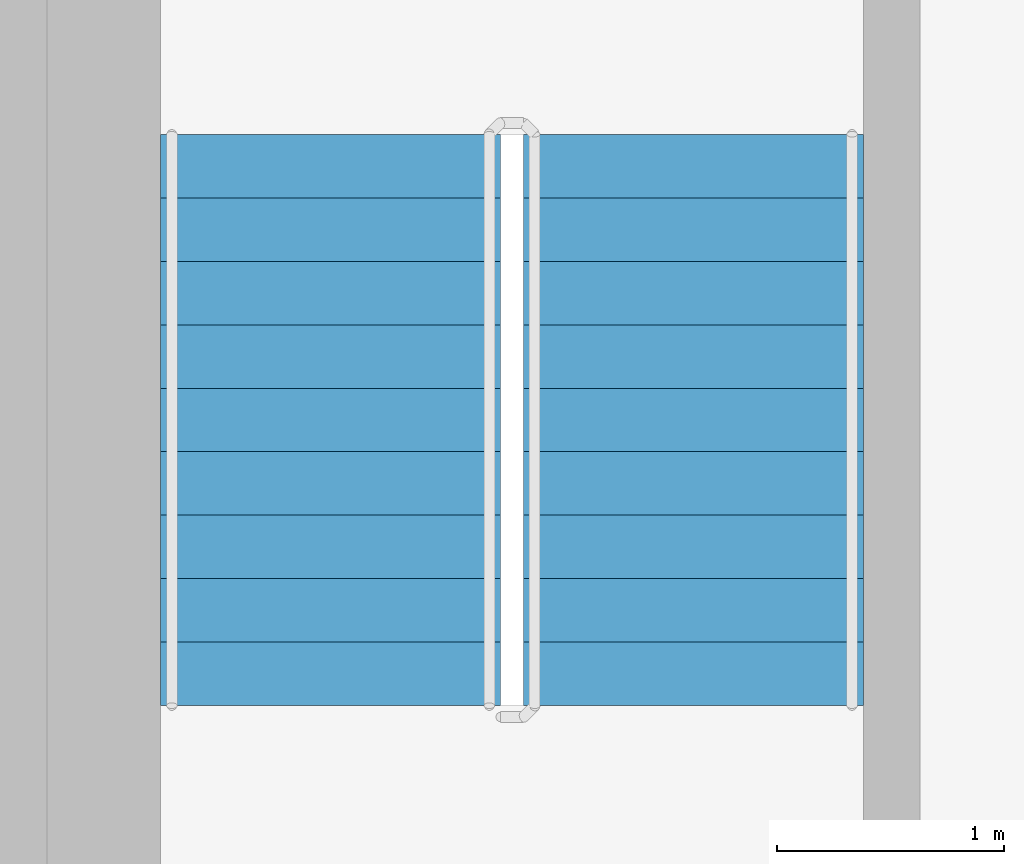
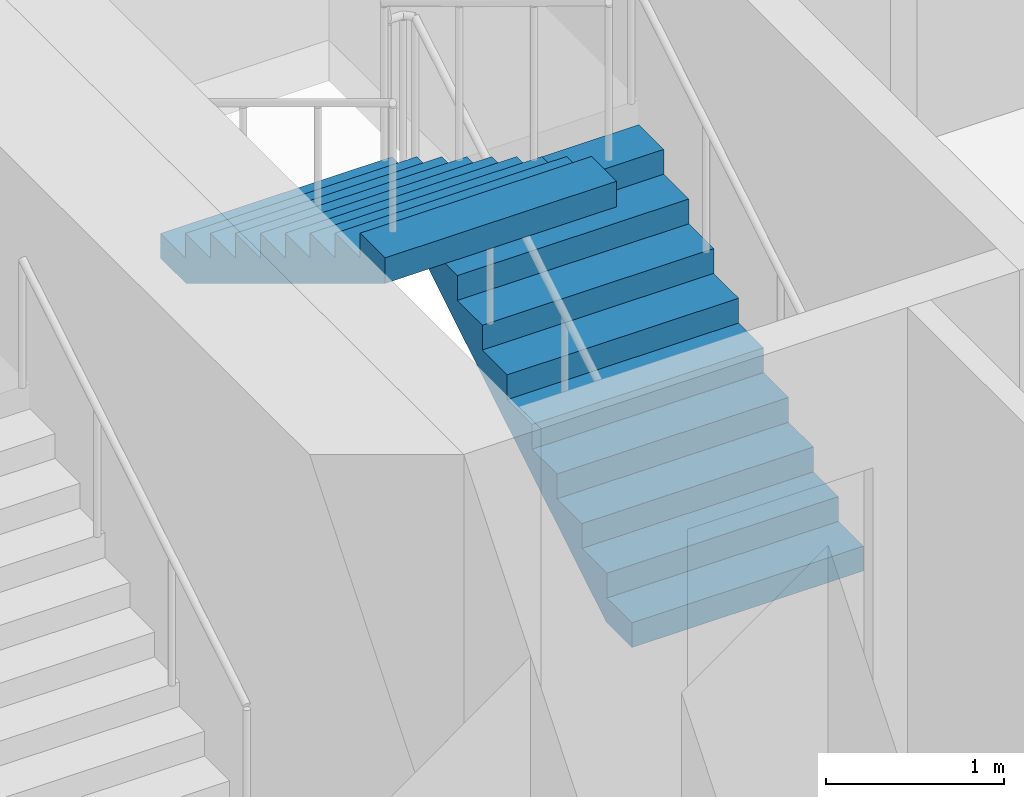
# One storey, part 12 of 19: 2 stair flights, 1 element without a shape of its own.
"""IFC4 building model written with IfcOpenShell, lengths in metres."""

from ifc_helpers import new_model, si_unit, direction, frame, origin, place, context, subcontext, project, spatial, triangles, source, transform, mapped, material, type_object, element, aggregate, save


model = new_model("IFC4")

# Units and contexts
model_context = context("Model", 3, precision=1e-05, world=origin(), true_north=direction((0.0, 1.0)))
body_context = subcontext(model_context, "Body", "Model", "MODEL_VIEW")
ifc_project = project(units=[si_unit("LENGTHUNIT", "METRE"), si_unit("AREAUNIT", "SQUARE_METRE"), si_unit("VOLUMEUNIT", "CUBIC_METRE"), si_unit("PLANEANGLEUNIT", "RADIAN"), si_unit("MASSUNIT", "GRAM", prefix="KILO")], contexts=[model_context])

# Site, building, storey
site_placement = place(None, origin())
site = spatial("IfcSite", under=ifc_project, at=site_placement, CompositionType="ELEMENT")
building_placement = place(site_placement, origin())
building = spatial("IfcBuilding", under=site, at=building_placement, Name="Kilnfold Tower and Market Hall", CompositionType="ELEMENT")
storey_placement = place(building_placement, frame((0.0, 0.0, 242.39990234375)))
storey = spatial("IfcBuildingStorey", under=building, at=storey_placement, Name="L58", CompositionType="ELEMENT", Elevation=242.39990234375)

# Stair, stair flights
ifc_material_1 = material(Name="Concrete C40/50", Category="concrete")
stair_type = type_object("IfcStairType", Name="CORE STAIR 1500", PredefinedType="HALF_TURN_STAIR", material=ifc_material_1)
stair_placement = place(storey_placement, origin())
stair = element("IfcStair", 1, at=stair_placement, inside=storey, type_object=stair_type, Name="L58 ST5", PredefinedType="HALF_TURN_STAIR")
ifc_material_2 = material(Name="Concrete C40/50", Category="concrete")
stair_flight_type = type_object("IfcStairFlightType", Name="CORE STAIR FLIGHT 1500", PredefinedType="STRAIGHT", material=ifc_material_2)
shared_shape = source(origin(), body_context, "Body", "Tessellation", [
    triangles([(0.0, 0.75, 0.0), (0.0, 0.65625, 0.0), (0.0, 0.5625, 0.0), (0.0, 0.46875, 0.0), (0.0, 0.375, 0.0), (0.0, 0.28125, 0.0), (0.0, 0.1875, 0.0), (0.0, 0.09375, 0.0), (0.0, 0.0, 0.0), (0.0, -0.09375, 0.0), (0.0, -0.1875, 0.0), (0.0, -0.28125, 0.0), (0.0, -0.375, 0.0), (0.0, -0.46875, 0.0), (0.0, -0.5625, 0.0), (0.0, -0.65625, 0.0), (0.0, -0.75, 0.0), (0.0, 0.75, 0.169921875), (0.0, 0.65625, 0.169921875), (0.0, 0.5625, 0.169921875), (0.0, 0.46875, 0.169921875), (0.0, 0.375, 0.169921875), (0.0, 0.28125, 0.169921875), (0.0, 0.1875, 0.169921875), (0.0, 0.09375, 0.169921875), (0.0, 0.0, 0.169921875), (0.0, -0.09375, 0.169921875), (0.0, -0.1875, 0.169921875), (0.0, -0.28125, 0.169921875), (0.0, -0.375, 0.169921875), (0.0, -0.46875, 0.169921875), (0.0, -0.5625, 0.169921875), (0.0, -0.65625, 0.169921875), (0.0, -0.75, 0.169921875), (0.280029296875, 0.75, 0.169921875), (0.280029296875, 0.65625, 0.169921875), (0.280029296875, 0.5625, 0.169921875), (0.280029296875, 0.46875, 0.169921875), (0.280029296875, 0.375, 0.169921875), (0.280029296875, 0.28125, 0.169921875), (0.280029296875, 0.1875, 0.169921875), (0.280029296875, 0.09375, 0.169921875), (0.280029296875, 0.0, 0.169921875), (0.280029296875, -0.09375, 0.169921875), (0.280029296875, -0.1875, 0.169921875), (0.280029296875, -0.28125, 0.169921875), (0.280029296875, -0.375, 0.169921875), (0.280029296875, -0.46875, 0.169921875), (0.280029296875, -0.5625, 0.169921875), (0.280029296875, -0.65625, 0.169921875), (0.280029296875, -0.75, 0.169921875), (0.280029296875, 0.75, 0.340087890625), (0.280029296875, 0.65625, 0.340087890625), (0.280029296875, 0.5625, 0.340087890625), (0.280029296875, 0.46875, 0.340087890625), (0.280029296875, 0.375, 0.340087890625), (0.280029296875, 0.28125, 0.340087890625), (0.280029296875, 0.1875, 0.340087890625), (0.280029296875, 0.09375, 0.340087890625), (0.280029296875, 0.0, 0.340087890625), (0.280029296875, -0.09375, 0.340087890625), (0.280029296875, -0.1875, 0.340087890625), (0.280029296875, -0.28125, 0.340087890625), (0.280029296875, -0.375, 0.340087890625), (0.280029296875, -0.46875, 0.340087890625), (0.280029296875, -0.5625, 0.340087890625), (0.280029296875, -0.65625, 0.340087890625), (0.280029296875, -0.75, 0.340087890625), (0.56005859375, 0.75, 0.340087890625), (0.56005859375, 0.65625, 0.340087890625), (0.56005859375, 0.5625, 0.340087890625), (0.56005859375, 0.46875, 0.340087890625), (0.56005859375, 0.375, 0.340087890625), (0.56005859375, 0.28125, 0.340087890625), (0.56005859375, 0.1875, 0.340087890625), (0.56005859375, 0.09375, 0.340087890625), (0.56005859375, 0.0, 0.340087890625), (0.56005859375, -0.09375, 0.340087890625), (0.56005859375, -0.1875, 0.340087890625), (0.56005859375, -0.28125, 0.340087890625), (0.56005859375, -0.375, 0.340087890625), (0.56005859375, -0.46875, 0.340087890625), (0.56005859375, -0.5625, 0.340087890625), (0.56005859375, -0.65625, 0.340087890625), (0.56005859375, -0.75, 0.340087890625), (0.56005859375, 0.75, 0.510009765625), (0.56005859375, 0.65625, 0.510009765625), (0.56005859375, 0.5625, 0.510009765625), (0.56005859375, 0.46875, 0.510009765625), (0.56005859375, 0.375, 0.510009765625), (0.56005859375, 0.28125, 0.510009765625), (0.56005859375, 0.1875, 0.510009765625), (0.56005859375, 0.09375, 0.510009765625), (0.56005859375, 0.0, 0.510009765625), (0.56005859375, -0.09375, 0.510009765625), (0.56005859375, -0.1875, 0.510009765625), (0.56005859375, -0.28125, 0.510009765625), (0.56005859375, -0.375, 0.510009765625), (0.56005859375, -0.46875, 0.510009765625), (0.56005859375, -0.5625, 0.510009765625), (0.56005859375, -0.65625, 0.510009765625), (0.56005859375, -0.75, 0.510009765625), (0.840087890625, 0.75, 0.510009765625), (0.840087890625, 0.65625, 0.510009765625), (0.840087890625, 0.5625, 0.510009765625), (0.840087890625, 0.46875, 0.510009765625), (0.840087890625, 0.375, 0.510009765625), (0.840087890625, 0.28125, 0.510009765625), (0.840087890625, 0.1875, 0.510009765625), (0.840087890625, 0.09375, 0.510009765625), (0.840087890625, 0.0, 0.510009765625), (0.840087890625, -0.09375, 0.510009765625), (0.840087890625, -0.1875, 0.510009765625), (0.840087890625, -0.28125, 0.510009765625), (0.840087890625, -0.375, 0.510009765625), (0.840087890625, -0.46875, 0.510009765625), (0.840087890625, -0.5625, 0.510009765625), (0.840087890625, -0.65625, 0.510009765625), (0.840087890625, -0.75, 0.510009765625), (0.840087890625, 0.75, 0.679931640625), (0.840087890625, 0.65625, 0.679931640625), (0.840087890625, 0.5625, 0.679931640625), (0.840087890625, 0.46875, 0.679931640625), (0.840087890625, 0.375, 0.679931640625), (0.840087890625, 0.28125, 0.679931640625), (0.840087890625, 0.1875, 0.679931640625), (0.840087890625, 0.09375, 0.679931640625), (0.840087890625, 0.0, 0.679931640625), (0.840087890625, -0.09375, 0.679931640625), (0.840087890625, -0.1875, 0.679931640625), (0.840087890625, -0.28125, 0.679931640625), (0.840087890625, -0.375, 0.679931640625), (0.840087890625, -0.46875, 0.679931640625), (0.840087890625, -0.5625, 0.679931640625), (0.840087890625, -0.65625, 0.679931640625), (0.840087890625, -0.75, 0.679931640625), (1.1201171875, 0.75, 0.679931640625), (1.1201171875, 0.65625, 0.679931640625), (1.1201171875, 0.5625, 0.679931640625), (1.1201171875, 0.46875, 0.679931640625), (1.1201171875, 0.375, 0.679931640625), (1.1201171875, 0.28125, 0.679931640625), (1.1201171875, 0.1875, 0.679931640625), (1.1201171875, 0.09375, 0.679931640625), (1.1201171875, 0.0, 0.679931640625), (1.1201171875, -0.09375, 0.679931640625), (1.1201171875, -0.1875, 0.679931640625), (1.1201171875, -0.28125, 0.679931640625), (1.1201171875, -0.375, 0.679931640625), (1.1201171875, -0.46875, 0.679931640625), (1.1201171875, -0.5625, 0.679931640625), (1.1201171875, -0.65625, 0.679931640625), (1.1201171875, -0.75, 0.679931640625), (1.1201171875, 0.75, 0.85009765625), (1.1201171875, 0.65625, 0.85009765625), (1.1201171875, 0.5625, 0.85009765625), (1.1201171875, 0.46875, 0.85009765625), (1.1201171875, 0.375, 0.85009765625), (1.1201171875, 0.28125, 0.85009765625), (1.1201171875, 0.1875, 0.85009765625), (1.1201171875, 0.09375, 0.85009765625), (1.1201171875, 0.0, 0.85009765625), (1.1201171875, -0.09375, 0.85009765625), (1.1201171875, -0.1875, 0.85009765625), (1.1201171875, -0.28125, 0.85009765625), (1.1201171875, -0.375, 0.85009765625), (1.1201171875, -0.46875, 0.85009765625), (1.1201171875, -0.5625, 0.85009765625), (1.1201171875, -0.65625, 0.85009765625), (1.1201171875, -0.75, 0.85009765625), (1.39990234375, 0.75, 0.85009765625), (1.39990234375, 0.65625, 0.85009765625), (1.39990234375, 0.5625, 0.85009765625), (1.39990234375, 0.46875, 0.85009765625), (1.39990234375, 0.375, 0.85009765625), (1.39990234375, 0.28125, 0.85009765625), (1.39990234375, 0.1875, 0.85009765625), (1.39990234375, 0.09375, 0.85009765625), (1.39990234375, 0.0, 0.85009765625), (1.39990234375, -0.09375, 0.85009765625), (1.39990234375, -0.1875, 0.85009765625), (1.39990234375, -0.28125, 0.85009765625), (1.39990234375, -0.375, 0.85009765625), (1.39990234375, -0.46875, 0.85009765625), (1.39990234375, -0.5625, 0.85009765625), (1.39990234375, -0.65625, 0.85009765625), (1.39990234375, -0.75, 0.85009765625), (1.39990234375, 0.75, 1.02001953125), (1.39990234375, 0.65625, 1.02001953125), (1.39990234375, 0.5625, 1.02001953125), (1.39990234375, 0.46875, 1.02001953125), (1.39990234375, 0.375, 1.02001953125), (1.39990234375, 0.28125, 1.02001953125), (1.39990234375, 0.1875, 1.02001953125), (1.39990234375, 0.09375, 1.02001953125), (1.39990234375, 0.0, 1.02001953125), (1.39990234375, -0.09375, 1.02001953125), (1.39990234375, -0.1875, 1.02001953125), (1.39990234375, -0.28125, 1.02001953125), (1.39990234375, -0.375, 1.02001953125), (1.39990234375, -0.46875, 1.02001953125), (1.39990234375, -0.5625, 1.02001953125), (1.39990234375, -0.65625, 1.02001953125), (1.39990234375, -0.75, 1.02001953125), (1.679931640625, 0.75, 1.02001953125), (1.679931640625, 0.65625, 1.02001953125), (1.679931640625, 0.5625, 1.02001953125), (1.679931640625, 0.46875, 1.02001953125), (1.679931640625, 0.375, 1.02001953125), (1.679931640625, 0.28125, 1.02001953125), (1.679931640625, 0.1875, 1.02001953125), (1.679931640625, 0.09375, 1.02001953125), (1.679931640625, 0.0, 1.02001953125), (1.679931640625, -0.09375, 1.02001953125), (1.679931640625, -0.1875, 1.02001953125), (1.679931640625, -0.28125, 1.02001953125), (1.679931640625, -0.375, 1.02001953125), (1.679931640625, -0.46875, 1.02001953125), (1.679931640625, -0.5625, 1.02001953125), (1.679931640625, -0.65625, 1.02001953125), (1.679931640625, -0.75, 1.02001953125), (1.679931640625, 0.75, 1.18994140625), (1.679931640625, 0.65625, 1.18994140625), (1.679931640625, 0.5625, 1.18994140625), (1.679931640625, 0.46875, 1.18994140625), (1.679931640625, 0.375, 1.18994140625), (1.679931640625, 0.28125, 1.18994140625), (1.679931640625, 0.1875, 1.18994140625), (1.679931640625, 0.09375, 1.18994140625), (1.679931640625, 0.0, 1.18994140625), (1.679931640625, -0.09375, 1.18994140625), (1.679931640625, -0.1875, 1.18994140625), (1.679931640625, -0.28125, 1.18994140625), (1.679931640625, -0.375, 1.18994140625), (1.679931640625, -0.46875, 1.18994140625), (1.679931640625, -0.5625, 1.18994140625), (1.679931640625, -0.65625, 1.18994140625), (1.679931640625, -0.75, 1.18994140625), (1.9599609375, 0.75, 1.18994140625), (1.9599609375, 0.65625, 1.18994140625), (1.9599609375, 0.5625, 1.18994140625), (1.9599609375, 0.46875, 1.18994140625), (1.9599609375, 0.375, 1.18994140625), (1.9599609375, 0.28125, 1.18994140625), (1.9599609375, 0.1875, 1.18994140625), (1.9599609375, 0.09375, 1.18994140625), (1.9599609375, 0.0, 1.18994140625), (1.9599609375, -0.09375, 1.18994140625), (1.9599609375, -0.1875, 1.18994140625), (1.9599609375, -0.28125, 1.18994140625), (1.9599609375, -0.375, 1.18994140625), (1.9599609375, -0.46875, 1.18994140625), (1.9599609375, -0.5625, 1.18994140625), (1.9599609375, -0.65625, 1.18994140625), (1.9599609375, -0.75, 1.18994140625), (1.9599609375, 0.75, 1.360107421875), (1.9599609375, 0.65625, 1.360107421875), (1.9599609375, 0.5625, 1.360107421875), (1.9599609375, 0.46875, 1.360107421875), (1.9599609375, 0.375, 1.360107421875), (1.9599609375, 0.28125, 1.360107421875), (1.9599609375, 0.1875, 1.360107421875), (1.9599609375, 0.09375, 1.360107421875), (1.9599609375, 0.0, 1.360107421875), (1.9599609375, -0.09375, 1.360107421875), (1.9599609375, -0.1875, 1.360107421875), (1.9599609375, -0.28125, 1.360107421875), (1.9599609375, -0.375, 1.360107421875), (1.9599609375, -0.46875, 1.360107421875), (1.9599609375, -0.5625, 1.360107421875), (1.9599609375, -0.65625, 1.360107421875), (1.9599609375, -0.75, 1.360107421875), (2.239990234375, 0.75, 1.360107421875), (2.239990234375, 0.65625, 1.360107421875), (2.239990234375, 0.5625, 1.360107421875), (2.239990234375, 0.46875, 1.360107421875), (2.239990234375, 0.375, 1.360107421875), (2.239990234375, 0.28125, 1.360107421875), (2.239990234375, 0.1875, 1.360107421875), (2.239990234375, 0.09375, 1.360107421875), (2.239990234375, 0.0, 1.360107421875), (2.239990234375, -0.09375, 1.360107421875), (2.239990234375, -0.1875, 1.360107421875), (2.239990234375, -0.28125, 1.360107421875), (2.239990234375, -0.375, 1.360107421875), (2.239990234375, -0.46875, 1.360107421875), (2.239990234375, -0.5625, 1.360107421875), (2.239990234375, -0.65625, 1.360107421875), (2.239990234375, -0.75, 1.360107421875), (2.239990234375, 0.75, 1.530029296875), (2.239990234375, 0.65625, 1.530029296875), (2.239990234375, 0.5625, 1.530029296875), (2.239990234375, 0.46875, 1.530029296875), (2.239990234375, 0.375, 1.530029296875), (2.239990234375, 0.28125, 1.530029296875), (2.239990234375, 0.1875, 1.530029296875), (2.239990234375, 0.09375, 1.530029296875), (2.239990234375, 0.0, 1.530029296875), (2.239990234375, -0.09375, 1.530029296875), (2.239990234375, -0.1875, 1.530029296875), (2.239990234375, -0.28125, 1.530029296875), (2.239990234375, -0.375, 1.530029296875), (2.239990234375, -0.46875, 1.530029296875), (2.239990234375, -0.5625, 1.530029296875), (2.239990234375, -0.65625, 1.530029296875), (2.239990234375, -0.75, 1.530029296875), (2.52001953125, 0.75, 1.530029296875), (2.52001953125, 0.65625, 1.530029296875), (2.52001953125, 0.5625, 1.530029296875), (2.52001953125, 0.46875, 1.530029296875), (2.52001953125, 0.375, 1.530029296875), (2.52001953125, 0.28125, 1.530029296875), (2.52001953125, 0.1875, 1.530029296875), (2.52001953125, 0.09375, 1.530029296875), (2.52001953125, 0.0, 1.530029296875), (2.52001953125, -0.09375, 1.530029296875), (2.52001953125, -0.1875, 1.530029296875), (2.52001953125, -0.28125, 1.530029296875), (2.52001953125, -0.375, 1.530029296875), (2.52001953125, -0.46875, 1.530029296875), (2.52001953125, -0.5625, 1.530029296875), (2.52001953125, -0.65625, 1.530029296875), (2.52001953125, -0.75, 1.530029296875), (2.52001953125, 0.75, 1.354736328125), (2.52001953125, 0.65625, 1.354736328125), (2.52001953125, 0.5625, 1.354736328125), (2.52001953125, 0.46875, 1.354736328125), (2.52001953125, 0.375, 1.354736328125), (2.52001953125, 0.28125, 1.354736328125), (2.52001953125, 0.1875, 1.354736328125), (2.52001953125, 0.09375, 1.354736328125), (2.52001953125, 0.0, 1.354736328125), (2.52001953125, -0.09375, 1.354736328125), (2.52001953125, -0.1875, 1.354736328125), (2.52001953125, -0.28125, 1.354736328125), (2.52001953125, -0.375, 1.354736328125), (2.52001953125, -0.46875, 1.354736328125), (2.52001953125, -0.5625, 1.354736328125), (2.52001953125, -0.65625, 1.354736328125), (2.52001953125, -0.75, 1.354736328125), (0.288818359375, 0.75, 0.0), (0.288818359375, 0.65625, 0.0), (0.288818359375, 0.5625, 0.0), (0.288818359375, 0.46875, 0.0), (0.288818359375, 0.375, 0.0), (0.288818359375, 0.28125, 0.0), (0.288818359375, 0.1875, 0.0), (0.288818359375, 0.09375, 0.0), (0.288818359375, 0.0, 0.0), (0.288818359375, -0.09375, 0.0), (0.288818359375, -0.1875, 0.0), (0.288818359375, -0.28125, 0.0), (0.288818359375, -0.375, 0.0), (0.288818359375, -0.46875, 0.0), (0.288818359375, -0.5625, 0.0), (0.288818359375, -0.65625, 0.0), (0.288818359375, -0.75, 0.0)], [[1, 324, 341], [17, 357, 340], [324, 290, 307], [340, 323, 306], [324, 273, 290], [340, 306, 289], [324, 256, 273], [340, 289, 272], [324, 239, 256], [340, 272, 255], [239, 205, 222], [255, 238, 221], [324, 205, 239], [340, 255, 221], [205, 171, 188], [221, 204, 187], [324, 171, 205], [340, 221, 187], [171, 137, 154], [187, 170, 153], [324, 137, 171], [340, 187, 153], [137, 103, 120], [153, 136, 119], [324, 103, 137], [340, 153, 119], [103, 69, 86], [119, 102, 85], [324, 69, 103], [340, 119, 85], [69, 35, 52], [85, 68, 51], [324, 35, 69], [340, 85, 51], [1, 35, 324], [17, 340, 51], [35, 1, 18], [51, 34, 17], [1, 19, 18], [1, 2, 19], [2, 20, 19], [2, 3, 20], [3, 21, 20], [3, 4, 21], [4, 22, 21], [4, 5, 22], [5, 23, 22], [5, 6, 23], [6, 24, 23], [6, 7, 24], [7, 25, 24], [7, 8, 25], [8, 26, 25], [8, 9, 26], [9, 27, 26], [9, 10, 27], [10, 28, 27], [10, 11, 28], [11, 29, 28], [11, 12, 29], [12, 30, 29], [12, 13, 30], [13, 31, 30], [13, 14, 31], [14, 32, 31], [14, 15, 32], [15, 33, 32], [15, 16, 33], [16, 34, 33], [16, 17, 34], [18, 36, 35], [18, 19, 36], [19, 37, 36], [19, 20, 37], [20, 38, 37], [20, 21, 38], [21, 39, 38], [21, 22, 39], [22, 40, 39], [22, 23, 40], [23, 41, 40], [23, 24, 41], [24, 42, 41], [24, 25, 42], [25, 43, 42], [25, 26, 43], [26, 44, 43], [26, 27, 44], [27, 45, 44], [27, 28, 45], [28, 46, 45], [28, 29, 46], [29, 47, 46], [29, 30, 47], [30, 48, 47], [30, 31, 48], [31, 49, 48], [31, 32, 49], [32, 50, 49], [32, 33, 50], [33, 51, 50], [33, 34, 51], [35, 53, 52], [35, 36, 53], [36, 54, 53], [36, 37, 54], [37, 55, 54], [37, 38, 55], [38, 56, 55], [38, 39, 56], [39, 57, 56], [39, 40, 57], [40, 58, 57], [40, 41, 58], [41, 59, 58], [41, 42, 59], [42, 60, 59], [42, 43, 60], [43, 61, 60], [43, 44, 61], [44, 62, 61], [44, 45, 62], [45, 63, 62], [45, 46, 63], [46, 64, 63], [46, 47, 64], [47, 65, 64], [47, 48, 65], [48, 66, 65], [48, 49, 66], [49, 67, 66], [49, 50, 67], [50, 68, 67], [50, 51, 68], [52, 70, 69], [52, 53, 70], [53, 71, 70], [53, 54, 71], [54, 72, 71], [54, 55, 72], [55, 73, 72], [55, 56, 73], [56, 74, 73], [56, 57, 74], [57, 75, 74], [57, 58, 75], [58, 76, 75], [58, 59, 76], [59, 77, 76], [59, 60, 77], [60, 78, 77], [60, 61, 78], [61, 79, 78], [61, 62, 79], [62, 80, 79], [62, 63, 80], [63, 81, 80], [63, 64, 81], [64, 82, 81], [64, 65, 82], [65, 83, 82], [65, 66, 83], [66, 84, 83], [66, 67, 84], [67, 85, 84], [67, 68, 85], [69, 87, 86], [69, 70, 87], [70, 88, 87], [70, 71, 88], [71, 89, 88], [71, 72, 89], [72, 90, 89], [72, 73, 90], [73, 91, 90], [73, 74, 91], [74, 92, 91], [74, 75, 92], [75, 93, 92], [75, 76, 93], [76, 94, 93], [76, 77, 94], [77, 95, 94], [77, 78, 95], [78, 96, 95], [78, 79, 96], [79, 97, 96], [79, 80, 97], [80, 98, 97], [80, 81, 98], [81, 99, 98], [81, 82, 99], [82, 100, 99], [82, 83, 100], [83, 101, 100], [83, 84, 101], [84, 102, 101], [84, 85, 102], [86, 104, 103], [86, 87, 104], [87, 105, 104], [87, 88, 105], [88, 106, 105], [88, 89, 106], [89, 107, 106], [89, 90, 107], [90, 108, 107], [90, 91, 108], [91, 109, 108], [91, 92, 109], [92, 110, 109], [92, 93, 110], [93, 111, 110], [93, 94, 111], [94, 112, 111], [94, 95, 112], [95, 113, 112], [95, 96, 113], [96, 114, 113], [96, 97, 114], [97, 115, 114], [97, 98, 115], [98, 116, 115], [98, 99, 116], [99, 117, 116], [99, 100, 117], [100, 118, 117], [100, 101, 118], [101, 119, 118], [101, 102, 119], [103, 121, 120], [103, 104, 121], [104, 122, 121], [104, 105, 122], [105, 123, 122], [105, 106, 123], [106, 124, 123], [106, 107, 124], [107, 125, 124], [107, 108, 125], [108, 126, 125], [108, 109, 126], [109, 127, 126], [109, 110, 127], [110, 128, 127], [110, 111, 128], [111, 129, 128], [111, 112, 129], [112, 130, 129], [112, 113, 130], [113, 131, 130], [113, 114, 131], [114, 132, 131], [114, 115, 132], [115, 133, 132], [115, 116, 133], [116, 134, 133], [116, 117, 134], [117, 135, 134], [117, 118, 135], [118, 136, 135], [118, 119, 136], [120, 138, 137], [120, 121, 138], [121, 139, 138], [121, 122, 139], [122, 140, 139], [122, 123, 140], [123, 141, 140], [123, 124, 141], [124, 142, 141], [124, 125, 142], [125, 143, 142], [125, 126, 143], [126, 144, 143], [126, 127, 144], [127, 145, 144], [127, 128, 145], [128, 146, 145], [128, 129, 146], [129, 147, 146], [129, 130, 147], [130, 148, 147], [130, 131, 148], [131, 149, 148], [131, 132, 149], [132, 150, 149], [132, 133, 150], [133, 151, 150], [133, 134, 151], [134, 152, 151], [134, 135, 152], [135, 153, 152], [135, 136, 153], [137, 155, 154], [137, 138, 155], [138, 156, 155], [138, 139, 156], [139, 157, 156], [139, 140, 157], [140, 158, 157], [140, 141, 158], [141, 159, 158], [141, 142, 159], [142, 160, 159], [142, 143, 160], [143, 161, 160], [143, 144, 161], [144, 162, 161], [144, 145, 162], [145, 163, 162], [145, 146, 163], [146, 164, 163], [146, 147, 164], [147, 165, 164], [147, 148, 165], [148, 166, 165], [148, 149, 166], [149, 167, 166], [149, 150, 167], [150, 168, 167], [150, 151, 168], [151, 169, 168], [151, 152, 169], [152, 170, 169], [152, 153, 170], [154, 172, 171], [154, 155, 172], [155, 173, 172], [155, 156, 173], [156, 174, 173], [156, 157, 174], [157, 175, 174], [157, 158, 175], [158, 176, 175], [158, 159, 176], [159, 177, 176], [159, 160, 177], [160, 178, 177], [160, 161, 178], [161, 179, 178], [161, 162, 179], [162, 180, 179], [162, 163, 180], [163, 181, 180], [163, 164, 181], [164, 182, 181], [164, 165, 182], [165, 183, 182], [165, 166, 183], [166, 184, 183], [166, 167, 184], [167, 185, 184], [167, 168, 185], [168, 186, 185], [168, 169, 186], [169, 187, 186], [169, 170, 187], [171, 189, 188], [171, 172, 189], [172, 190, 189], [172, 173, 190], [173, 191, 190], [173, 174, 191], [174, 192, 191], [174, 175, 192], [175, 193, 192], [175, 176, 193], [176, 194, 193], [176, 177, 194], [177, 195, 194], [177, 178, 195], [178, 196, 195], [178, 179, 196], [179, 197, 196], [179, 180, 197], [180, 198, 197], [180, 181, 198], [181, 199, 198], [181, 182, 199], [182, 200, 199], [182, 183, 200], [183, 201, 200], [183, 184, 201], [184, 202, 201], [184, 185, 202], [185, 203, 202], [185, 186, 203], [186, 204, 203], [186, 187, 204], [188, 206, 205], [188, 189, 206], [189, 207, 206], [189, 190, 207], [190, 208, 207], [190, 191, 208], [191, 209, 208], [191, 192, 209], [192, 210, 209], [192, 193, 210], [193, 211, 210], [193, 194, 211], [194, 212, 211], [194, 195, 212], [195, 213, 212], [195, 196, 213], [196, 214, 213], [196, 197, 214], [197, 215, 214], [197, 198, 215], [198, 216, 215], [198, 199, 216], [199, 217, 216], [199, 200, 217], [200, 218, 217], [200, 201, 218], [201, 219, 218], [201, 202, 219], [202, 220, 219], [202, 203, 220], [203, 221, 220], [203, 204, 221], [205, 223, 222], [205, 206, 223], [206, 224, 223], [206, 207, 224], [207, 225, 224], [207, 208, 225], [208, 226, 225], [208, 209, 226], [209, 227, 226], [209, 210, 227], [210, 228, 227], [210, 211, 228], [211, 229, 228], [211, 212, 229], [212, 230, 229], [212, 213, 230], [213, 231, 230], [213, 214, 231], [214, 232, 231], [214, 215, 232], [215, 233, 232], [215, 216, 233], [216, 234, 233], [216, 217, 234], [217, 235, 234], [217, 218, 235], [218, 236, 235], [218, 219, 236], [219, 237, 236], [219, 220, 237], [220, 238, 237], [220, 221, 238], [222, 240, 239], [222, 223, 240], [223, 241, 240], [223, 224, 241], [224, 242, 241], [224, 225, 242], [225, 243, 242], [225, 226, 243], [226, 244, 243], [226, 227, 244], [227, 245, 244], [227, 228, 245], [228, 246, 245], [228, 229, 246], [229, 247, 246], [229, 230, 247], [230, 248, 247], [230, 231, 248], [231, 249, 248], [231, 232, 249], [232, 250, 249], [232, 233, 250], [233, 251, 250], [233, 234, 251], [234, 252, 251], [234, 235, 252], [235, 253, 252], [235, 236, 253], [236, 254, 253], [236, 237, 254], [237, 255, 254], [237, 238, 255], [239, 257, 256], [239, 240, 257], [240, 258, 257], [240, 241, 258], [241, 259, 258], [241, 242, 259], [242, 260, 259], [242, 243, 260], [243, 261, 260], [243, 244, 261], [244, 262, 261], [244, 245, 262], [245, 263, 262], [245, 246, 263], [246, 264, 263], [246, 247, 264], [247, 265, 264], [247, 248, 265], [248, 266, 265], [248, 249, 266], [249, 267, 266], [249, 250, 267], [250, 268, 267], [250, 251, 268], [251, 269, 268], [251, 252, 269], [252, 270, 269], [252, 253, 270], [253, 271, 270], [253, 254, 271], [254, 272, 271], [254, 255, 272], [256, 274, 273], [256, 257, 274], [257, 275, 274], [257, 258, 275], [258, 276, 275], [258, 259, 276], [259, 277, 276], [259, 260, 277], [260, 278, 277], [260, 261, 278], [261, 279, 278], [261, 262, 279], [262, 280, 279], [262, 263, 280], [263, 281, 280], [263, 264, 281], [264, 282, 281], [264, 265, 282], [265, 283, 282], [265, 266, 283], [266, 284, 283], [266, 267, 284], [267, 285, 284], [267, 268, 285], [268, 286, 285], [268, 269, 286], [269, 287, 286], [269, 270, 287], [270, 288, 287], [270, 271, 288], [271, 289, 288], [271, 272, 289], [273, 291, 290], [273, 274, 291], [274, 292, 291], [274, 275, 292], [275, 293, 292], [275, 276, 293], [276, 294, 293], [276, 277, 294], [277, 295, 294], [277, 278, 295], [278, 296, 295], [278, 279, 296], [279, 297, 296], [279, 280, 297], [280, 298, 297], [280, 281, 298], [281, 299, 298], [281, 282, 299], [282, 300, 299], [282, 283, 300], [283, 301, 300], [283, 284, 301], [284, 302, 301], [284, 285, 302], [285, 303, 302], [285, 286, 303], [286, 304, 303], [286, 287, 304], [287, 305, 304], [287, 288, 305], [288, 306, 305], [288, 289, 306], [290, 308, 307], [290, 291, 308], [291, 309, 308], [291, 292, 309], [292, 310, 309], [292, 293, 310], [293, 311, 310], [293, 294, 311], [294, 312, 311], [294, 295, 312], [295, 313, 312], [295, 296, 313], [296, 314, 313], [296, 297, 314], [297, 315, 314], [297, 298, 315], [298, 316, 315], [298, 299, 316], [299, 317, 316], [299, 300, 317], [300, 318, 317], [300, 301, 318], [301, 319, 318], [301, 302, 319], [302, 320, 319], [302, 303, 320], [303, 321, 320], [303, 304, 321], [304, 322, 321], [304, 305, 322], [305, 323, 322], [305, 306, 323], [307, 325, 324], [307, 308, 325], [308, 326, 325], [308, 309, 326], [309, 327, 326], [309, 310, 327], [310, 328, 327], [310, 311, 328], [311, 329, 328], [311, 312, 329], [312, 330, 329], [312, 313, 330], [313, 331, 330], [313, 314, 331], [314, 332, 331], [314, 315, 332], [315, 333, 332], [315, 316, 333], [316, 334, 333], [316, 317, 334], [317, 335, 334], [317, 318, 335], [318, 336, 335], [318, 319, 336], [319, 337, 336], [319, 320, 337], [320, 338, 337], [320, 321, 338], [321, 339, 338], [321, 322, 339], [322, 340, 339], [322, 323, 340], [324, 342, 341], [324, 325, 342], [325, 343, 342], [325, 326, 343], [326, 344, 343], [326, 327, 344], [327, 345, 344], [327, 328, 345], [328, 346, 345], [328, 329, 346], [329, 347, 346], [329, 330, 347], [330, 348, 347], [330, 331, 348], [331, 349, 348], [331, 332, 349], [332, 350, 349], [332, 333, 350], [333, 351, 350], [333, 334, 351], [334, 352, 351], [334, 335, 352], [335, 353, 352], [335, 336, 353], [336, 354, 353], [336, 337, 354], [337, 355, 354], [337, 338, 355], [338, 356, 355], [338, 339, 356], [339, 357, 356], [339, 340, 357], [341, 2, 1], [341, 342, 2], [342, 3, 2], [342, 343, 3], [343, 4, 3], [343, 344, 4], [344, 5, 4], [344, 345, 5], [345, 6, 5], [345, 346, 6], [346, 7, 6], [346, 347, 7], [347, 8, 7], [347, 348, 8], [348, 9, 8], [348, 349, 9], [349, 10, 9], [349, 350, 10], [350, 11, 10], [350, 351, 11], [351, 12, 11], [351, 352, 12], [352, 13, 12], [352, 353, 13], [353, 14, 13], [353, 354, 14], [354, 15, 14], [354, 355, 15], [355, 16, 15], [355, 356, 16], [356, 17, 16], [356, 357, 17]], closed=True),
])
stair_flight_1_placement = place(storey_placement, frame((20.699951171875, 11.5, 0.0), z_axis=(0.0, 0.0, 1.0), x_axis=(0.0, 1.0, 0.0)))
stair_flight_1 = element("IfcStairFlight", 2, at=stair_flight_1_placement, type_object=stair_flight_type, Name="ST5 flight 1", NumberOfRisers=10, NumberOfTreads=9, PredefinedType="STRAIGHT", RiserHeight=0.17, TreadLength=0.28, context=body_context, shape_type="MappedRepresentation", body=[
    mapped(shared_shape, transform((0.0, 0.0, 0.0))),
])
stair_flight_2_placement = place(storey_placement, frame((19.10009765625, 14.02001953125, 1.7001953125), z_axis=(0.0, 0.0, 1.0), x_axis=(0.0, -1.0, 0.0)))
stair_flight_2 = element("IfcStairFlight", 3, at=stair_flight_2_placement, type_object=stair_flight_type, Name="ST5 flight 2", NumberOfRisers=10, NumberOfTreads=9, PredefinedType="STRAIGHT", RiserHeight=0.17, TreadLength=0.28, context=body_context, shape_type="MappedRepresentation", body=[
    mapped(shared_shape, transform((0.0, 0.0, 0.0))),
])
aggregate(stair, [stair_flight_1, stair_flight_2])

save(model, "model.ifc")
